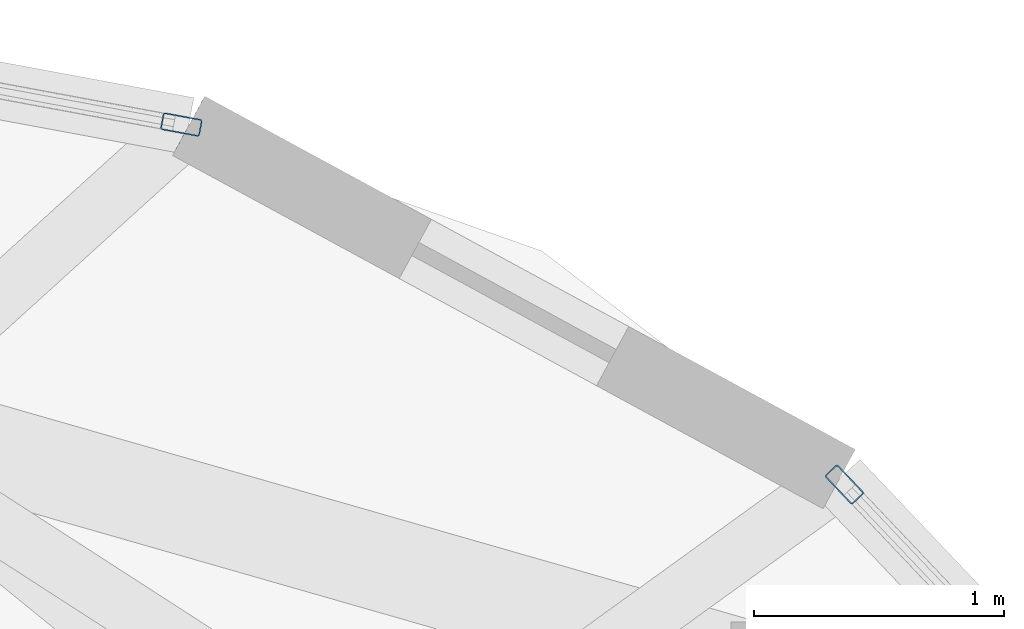
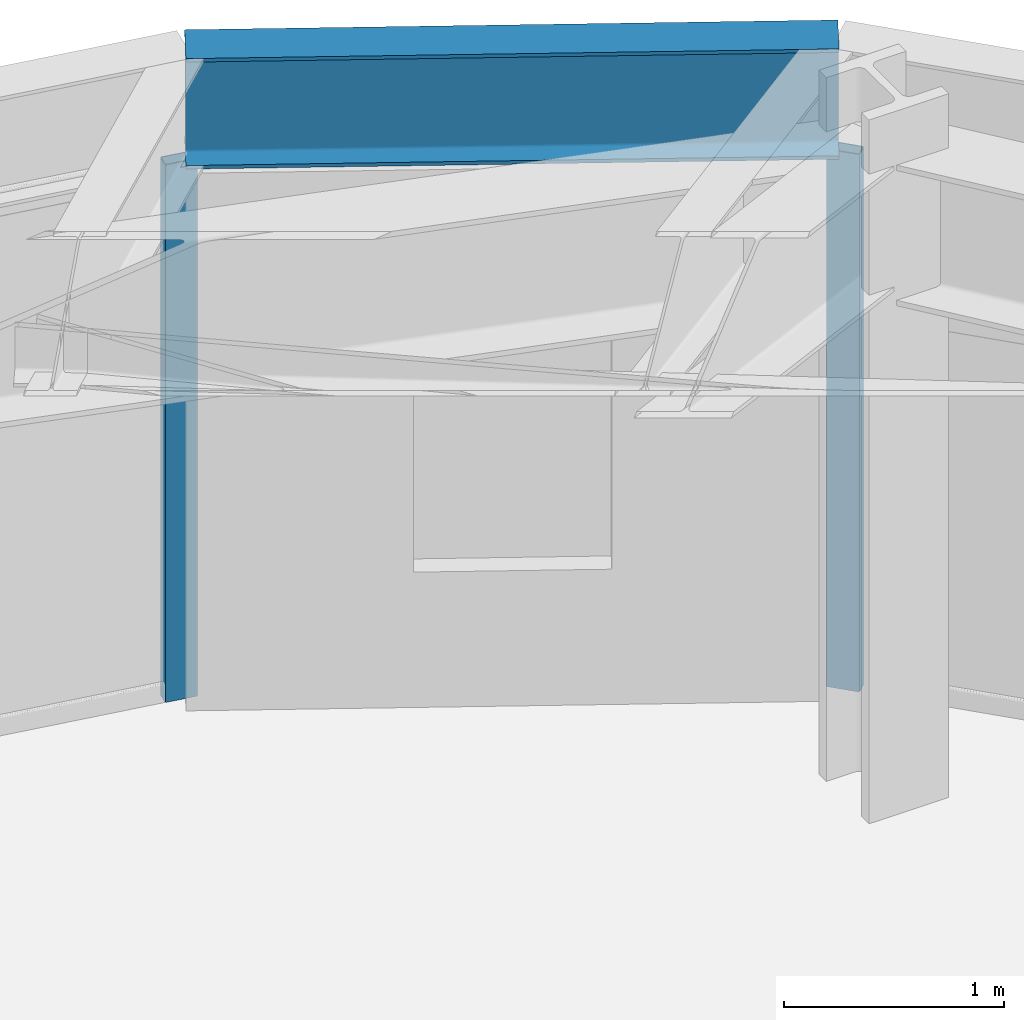
# One storey, part 18 of 25: 2 members, 1 beam, 2 elements without a shape of their own.
"""IFC4 building model written with IfcOpenShell, lengths in metres."""

import ifcopenshell
import ifcopenshell.guid

model = None  # the IFC model being written
_history = None  # IfcOwnerHistory: only IFC2X3 demands one
_inside = {}  # id of a spatial element -> (the spatial element, [elements in it])
_under = {}  # id of a project, library or spatial element -> (it, [spatial elements below it])
_declared = {}  # id of a project -> (the project, [libraries it declares])
_typed = {}  # id of a type object -> (the type object, [elements of that type])
_made_of = {}  # id of a material, layer set ... -> (it, [elements and type objects made of it])


def new_model(schema):
    """Start an empty IFC model of exactly this schema.

    Asked for "IFC4X3", IfcOpenShell would pick the latest addendum, in which some entities
    have other attributes; the version numbers below select the first issue.
    IFC2X3 requires an IfcOwnerHistory on every rooted entity: one is made here for all.
    """
    global model, _history
    if schema == "IFC4X3":
        model = ifcopenshell.file(schema_version=(4, 3, 0, 0))
    else:
        model = ifcopenshell.file(schema=schema)
    _inside.clear()
    _under.clear()
    _declared.clear()
    _typed.clear()
    _made_of.clear()
    _history = None
    if model.schema == "IFC2X3":
        org = make("IfcOrganization", Name="unknown")
        user = make(
            "IfcPersonAndOrganization",
            ThePerson=make("IfcPerson", FamilyName="unknown"),
            TheOrganization=org,
        )
        app = make(
            "IfcApplication",
            ApplicationDeveloper=org,
            Version="unknown",
            ApplicationFullName="unknown",
            ApplicationIdentifier="unknown",
        )
        _history = make(
            "IfcOwnerHistory",
            OwningUser=user,
            OwningApplication=app,
            ChangeAction="ADDED",
            CreationDate=0,
        )
    return model


def make(cls, **values):
    """One entity of the class cls with the attributes given. An attribute that is None is left unset."""
    return model.create_entity(
        cls, **{name: value for name, value in values.items() if value is not None}
    )


def rooted(cls, **values):
    """An entity with a GlobalId (a new one), such as an element, a storey or a relation."""
    return make(cls, GlobalId=ifcopenshell.guid.new(), OwnerHistory=_history, **values)


def si_unit(unit_type, name, prefix=None):
    """IfcSIUnit, for example si_unit("LENGTHUNIT", "METRE", prefix="MILLI")."""
    return make("IfcSIUnit", UnitType=unit_type, Prefix=prefix, Name=name)


def assignment(units):
    """IfcUnitAssignment: the units of a project."""
    return None if units is None else make("IfcUnitAssignment", Units=units)


def point(xyz):
    """IfcCartesianPoint."""
    return None if xyz is None else make("IfcCartesianPoint", Coordinates=xyz)


def direction(xyz):
    """IfcDirection."""
    return None if xyz is None else make("IfcDirection", DirectionRatios=xyz)


def frame(location, z_axis=None, x_axis=None):
    """IfcAxis2Placement3D, a coordinate frame: its origin and axes. An axis left out is left unset."""
    return make(
        "IfcAxis2Placement3D",
        Location=point(location),
        Axis=direction(z_axis),
        RefDirection=direction(x_axis),
    )


def frame_2d(location, x_axis=None):
    """IfcAxis2Placement2D, a coordinate frame in the plane: its origin and x axis."""
    return make(
        "IfcAxis2Placement2D", Location=point(location), RefDirection=direction(x_axis)
    )


def origin():
    """The frame at (0, 0, 0) with its axes left unset."""
    return frame((0.0, 0.0, 0.0))


def origin_2d():
    """The frame at (0, 0) in the plane with its x axis left unset."""
    return frame_2d((0.0, 0.0))


def place(relative_to, where):
    """IfcLocalPlacement: puts the frame where relative to a parent placement (None: the world)."""
    return make(
        "IfcLocalPlacement", PlacementRelTo=relative_to, RelativePlacement=where
    )


def context(
    kind, dimensions, precision=None, world=None, true_north=None, identifier=None
):
    """IfcGeometricRepresentationContext, for example the 3D "Model" context."""
    return make(
        "IfcGeometricRepresentationContext",
        ContextIdentifier=identifier,
        ContextType=kind,
        CoordinateSpaceDimension=dimensions,
        Precision=precision,
        WorldCoordinateSystem=world,
        TrueNorth=true_north,
    )


def subcontext(parent, identifier, kind, view, scale=None):
    """IfcGeometricRepresentationSubContext, for example "Body" below "Model"."""
    return make(
        "IfcGeometricRepresentationSubContext",
        ContextIdentifier=identifier,
        ContextType=kind,
        ParentContext=parent,
        TargetScale=scale,
        TargetView=view,
    )


def project(units=None, contexts=None):
    """IfcProject with its units and contexts."""
    return rooted(
        "IfcProject",
        Name="project",
        RepresentationContexts=contexts,
        UnitsInContext=assignment(units),
    )


def spatial(cls, under=None, at=None, **own):
    """A site, building, storey or space (cls), placed at a placement, below another one or the project."""
    s = rooted(cls, ObjectPlacement=at, **own)
    if under is not None:
        _under.setdefault(under.id(), (under, []))[1].append(s)
    return s


def profile(cls, at=None, kind="AREA", **sizes):
    """A parametric profile (cls). Its sizes go by their IFC names, for example OverallWidth=200.0."""
    return make(cls, ProfileType=kind, Position=at, **sizes)


def hollow_rectangle(**sizes):
    """IfcRectangleHollowProfileDef."""
    return profile("IfcRectangleHollowProfileDef", **sizes)


def i_section(**sizes):
    """IfcIShapeProfileDef."""
    return profile("IfcIShapeProfileDef", **sizes)


def extrude(swept, where, along, depth):
    """IfcExtrudedAreaSolid: the profile swept, set in the frame where, extruded along a direction by depth."""
    return make(
        "IfcExtrudedAreaSolid",
        SweptArea=swept,
        Position=where,
        ExtrudedDirection=direction(along),
        Depth=depth,
    )


def shape(context_of_items, identifier, shape_type, items):
    """IfcShapeRepresentation: the items that make up one representation, for example the "Body"."""
    return make(
        "IfcShapeRepresentation",
        ContextOfItems=context_of_items,
        RepresentationIdentifier=identifier,
        RepresentationType=shape_type,
        Items=items,
    )


def material(Name=None, Category=None):
    """IfcMaterial."""
    return make("IfcMaterial", Name=Name, Category=Category)


def layer(
    of_material, thickness, ventilated=None, Name=None, Category=None, Priority=None
):
    """IfcMaterialLayer: one layer of a wall or slab, of a material (None: an air gap)."""
    return make(
        "IfcMaterialLayer",
        Material=of_material,
        LayerThickness=thickness,
        IsVentilated=ventilated,
        Name=Name,
        Category=Category,
        Priority=Priority,
    )


def layer_set(layers, Name=None):
    """IfcMaterialLayerSet."""
    return make("IfcMaterialLayerSet", MaterialLayers=layers, LayerSetName=Name)


def material_profile(
    of_material, cross_section, Name=None, Category=None, Priority=None
):
    """IfcMaterialProfile: a cross section and its material."""
    return make(
        "IfcMaterialProfile",
        Name=Name,
        Material=of_material,
        Profile=cross_section,
        Priority=Priority,
        Category=Category,
    )


def profile_set(profiles, Name=None, composite=None):
    """IfcMaterialProfileSet."""
    return make(
        "IfcMaterialProfileSet",
        Name=Name,
        MaterialProfiles=profiles,
        CompositeProfile=composite,
    )


def made_of(thing, what):
    """Note that an element or type object is made of a material, layer set ...; save() writes the relation."""
    if what is not None:
        _made_of.setdefault(what.id(), (what, []))[1].append(thing)
    return thing


def type_object(cls, material=None, **own):
    """A type object (cls), such as IfcWallType, which elements share."""
    return made_of(rooted(cls, **own), material)


def element(
    cls,
    number,
    at=None,
    inside=None,
    cuts=None,
    type_object=None,
    material=None,
    context=None,
    identifier="Body",
    shape_type=None,
    held_by="IfcProductDefinitionShape",
    body=None,
    shapes=None,
    **own,
):
    """One element of the class cls, such as IfcWall. Its Tag is "e" and its number.

    at: its placement. inside: the storey or other place that contains it. cuts: it is an
    opening in that element (IfcRelVoidsElement). A single representation is given by context,
    identifier, shape_type and body (its items); several are given by shapes. held_by: the class
    of the entity that holds the representations. save() writes the other relations.
    """
    e = rooted(cls, Tag="e%d" % number, ObjectPlacement=at, **own)
    if body is not None:
        shapes = [shape(context, identifier, shape_type, body)]
    if shapes is not None:
        e.Representation = make(held_by, Representations=shapes)
    if inside is not None:
        _inside.setdefault(inside.id(), (inside, []))[1].append(e)
    if cuts is not None:
        rooted(
            "IfcRelVoidsElement", RelatingBuildingElement=cuts, RelatedOpeningElement=e
        )
    if type_object is not None:
        _typed.setdefault(type_object.id(), (type_object, []))[1].append(e)
    return made_of(e, material)


def aggregate(whole, parts):
    """IfcRelAggregates: a whole, such as a stair, and the parts it consists of."""
    return rooted("IfcRelAggregates", RelatingObject=whole, RelatedObjects=parts)


def save(model, path):
    """Write the relations noted so far, then the file.

    IfcRelAggregates (storeys below a building ...), IfcRelContainedInSpatialStructure (elements
    in a storey), IfcRelDefinesByType, IfcRelAssociatesMaterial and IfcRelDeclares: one each for
    every whole, place, type object, material and project.
    """
    for whole, parts in _under.values():
        aggregate(whole, parts)
    for where, things in _inside.values():
        rooted(
            "IfcRelContainedInSpatialStructure",
            RelatedElements=things,
            RelatingStructure=where,
        )
    for kind, things in _typed.values():
        rooted("IfcRelDefinesByType", RelatedObjects=things, RelatingType=kind)
    for what, things in _made_of.values():
        rooted("IfcRelAssociatesMaterial", RelatedObjects=things, RelatingMaterial=what)
    for by, libraries in _declared.values():
        rooted("IfcRelDeclares", RelatingContext=by, RelatedDefinitions=libraries)
    model.write(path)


model = new_model("IFC4")

# Units and contexts
model_context = context("Model", 3, precision=1e-05, world=origin(), true_north=direction((0.0, 1.0)))
body_context = subcontext(model_context, "Body", "Model", "MODEL_VIEW")
ifc_project = project(units=[si_unit("LENGTHUNIT", "METRE"), si_unit("AREAUNIT", "SQUARE_METRE"), si_unit("VOLUMEUNIT", "CUBIC_METRE"), si_unit("PLANEANGLEUNIT", "RADIAN"), si_unit("MASSUNIT", "GRAM", prefix="KILO")], contexts=[model_context])

# Site, building, storey
site_placement = place(None, origin())
site = spatial("IfcSite", under=ifc_project, at=site_placement, CompositionType="ELEMENT")
building_placement = place(site_placement, origin())
building = spatial("IfcBuilding", under=site, at=building_placement, Name="Soratama Intermodal Tower", CompositionType="ELEMENT")
storey_placement = place(building_placement, frame((0.0, 0.0, 126.39990234375)))
storey = spatial("IfcBuildingStorey", under=building, at=storey_placement, Name="L30", CompositionType="ELEMENT", Elevation=126.39990234375)

# Beam
ifc_material_1 = material(Name="Structural steel ASTM A992 Grade 50", Category="steel")
ifc_material_profile_1 = material_profile(ifc_material_1, i_section(OverallWidth=0.22900390625, OverallDepth=0.612060546875, WebThickness=0.011962890625, FlangeThickness=0.01953125, FilletRadius=0.012939453125, at=origin_2d()), Name="W24X84")
ifc_profile_set_1 = profile_set([ifc_material_profile_1], Name="Structural steel ASTM A992 Grade 50")
beam_type = type_object("IfcBeamType", Name="BM-SPN-W24X84", PredefinedType="SPANDREL", material=ifc_profile_set_1)
beam_placement = place(storey_placement, frame((54.9541015625, 40.22509765625, 3.294189453125), z_axis=(-0.878755819251, 0.477271631394, 0.0), x_axis=(-0.477271631394, -0.878755819251, 0.0)))
element("IfcBeam", 1, at=beam_placement, inside=storey, type_object=beam_type, Name="BS-L30-CRN01", PredefinedType="SPANDREL", context=body_context, shape_type="SweptSolid", body=[
    extrude(i_section(OverallWidth=0.22900390625, OverallDepth=0.612060546875, WebThickness=0.011962890625, FlangeThickness=0.01953125, FilletRadius=0.012939453125, at=origin_2d()), origin(), (0.0, 0.0, 1.0), 2.966796875),
])

# Curtain wall, member
ifc_material_2 = material(Name="Double-glazed aluminium curtain wall", Category="aluminium")
ifc_layer = layer(ifc_material_2, 0.159912109375)
ifc_layer_set = layer_set([ifc_layer], Name="Double-glazed aluminium curtain wall")
curtain_wall_type = type_object("IfcCurtainWallType", Name="CW-SYS-3", PredefinedType="NOTDEFINED", material=ifc_layer_set)
curtain_wall_1_placement = place(storey_placement, origin())
curtain_wall_1 = element("IfcCurtainWall", 2, at=curtain_wall_1_placement, inside=storey, type_object=curtain_wall_type, Name="L30 Faceted Curtain Wall F01", PredefinedType="NOTDEFINED")
ifc_material_3 = material(Name="Anodised aluminium AA 6063-T6", Category="aluminium")
ifc_material_profile_2 = material_profile(ifc_material_3, hollow_rectangle(XDim=0.070068359375, YDim=0.159912109375, WallThickness=0.0048828125, InnerFilletRadius=0.0048828125, OuterFilletRadius=0.010009765625, at=origin_2d()), Name="CWM160X70X5")
ifc_profile_set_2 = profile_set([ifc_material_profile_2], Name="Anodised aluminium AA 6063-T6")
member_type = type_object("IfcMemberType", Name="MT-CWM-3", PredefinedType="MULLION", material=ifc_profile_set_2)
member_1_placement = place(storey_placement, frame((54.97509765625, 40.203369140625, 0.0), z_axis=(0.0, 0.0, 1.0), x_axis=(-0.725376951302, -0.688351856626, 0.0)))
member_1 = element("IfcMember", 3, at=member_1_placement, type_object=member_type, Name="CW-3 mullion 2", PredefinedType="MULLION", context=body_context, shape_type="SweptSolid", body=[
    extrude(hollow_rectangle(XDim=0.070068359375, YDim=0.159912109375, WallThickness=0.0048828125, InnerFilletRadius=0.0048828125, OuterFilletRadius=0.010009765625, at=origin_2d()), origin(), (0.0, 0.0, 1.0), 2.97900390625),
])
aggregate(curtain_wall_1, [member_1])

curtain_wall_2_placement = place(storey_placement, origin())
curtain_wall_2 = element("IfcCurtainWall", 4, at=curtain_wall_2_placement, inside=storey, type_object=curtain_wall_type, Name="L30 Faceted Curtain Wall F02", PredefinedType="NOTDEFINED")
member_2_placement = place(storey_placement, frame((52.31787109375, 41.64599609375, 0.0), z_axis=(0.0, 0.0, 1.0), x_axis=(-0.182239183314, -0.98325422962, 0.0)))
member_2 = element("IfcMember", 5, at=member_2_placement, type_object=member_type, Name="CW-3 mullion 1", PredefinedType="MULLION", context=body_context, shape_type="SweptSolid", body=[
    extrude(hollow_rectangle(XDim=0.070068359375, YDim=0.159912109375, WallThickness=0.0048828125, InnerFilletRadius=0.0048828125, OuterFilletRadius=0.010009765625, at=origin_2d()), origin(), (0.0, 0.0, 1.0), 2.97900390625),
])
aggregate(curtain_wall_2, [member_2])

save(model, "model.ifc")
